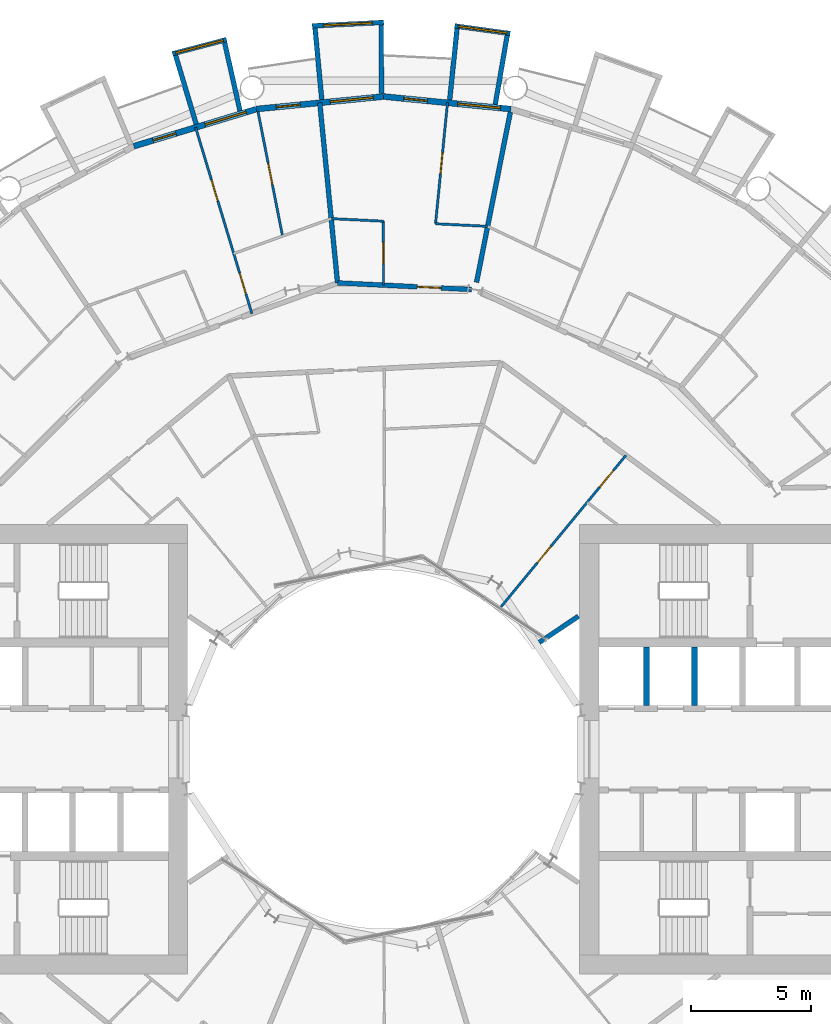
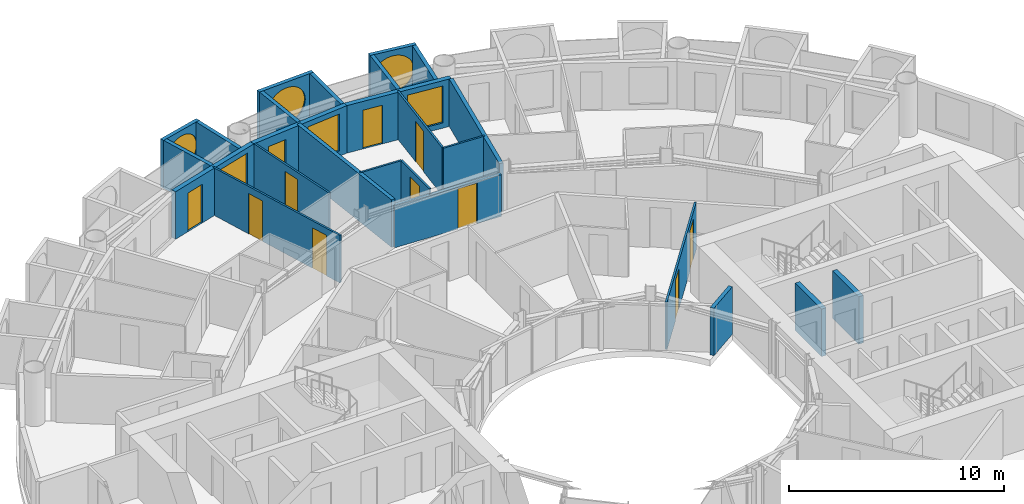
# One storey, part 20 of 25: 25 walls, 11 doors, 6 windows, 17 openings.
"""IFC4 building model written with IfcOpenShell, lengths in metres."""

from ifc_helpers import new_model, si_unit, direction, frame, frame_2d, origin, place, context, subcontext, project, spatial, rectangle, circle, extrude, material, layer, layer_set, type_object, element, fill, save


model = new_model("IFC4")

# Units and contexts
model_context = context("Model", 3, precision=1e-05, world=origin(), true_north=direction((0.0, 1.0)))
body_context = subcontext(model_context, "Body", "Model", "MODEL_VIEW")
ifc_project = project(units=[si_unit("LENGTHUNIT", "METRE"), si_unit("AREAUNIT", "SQUARE_METRE"), si_unit("VOLUMEUNIT", "CUBIC_METRE"), si_unit("PLANEANGLEUNIT", "RADIAN"), si_unit("MASSUNIT", "GRAM", prefix="KILO")], contexts=[model_context])

# Site, building, storey
site_placement = place(None, origin())
site = spatial("IfcSite", under=ifc_project, at=site_placement, CompositionType="ELEMENT")
building_placement = place(site_placement, origin())
building = spatial("IfcBuilding", under=site, at=building_placement, Name="Maasbend Ring Residences", CompositionType="ELEMENT")
storey_placement = place(building_placement, frame((0.0, 0.0, 41.10009765625)))
storey = spatial("IfcBuildingStorey", under=building, at=storey_placement, Name="L11", CompositionType="ELEMENT", Elevation=41.10009765625)

# Wall, opening, door
ifc_material_1 = material(Name="Concrete C30/37", Category="concrete")
ifc_layer_1 = layer(ifc_material_1, 0.199951171875)
ifc_layer_set_1 = layer_set([ifc_layer_1], Name="Concrete C30/37")
wall_type_1 = type_object("IfcWallType", Name="CORRIDOR WALL 200 CONCRETE", PredefinedType="PARTITIONING", material=ifc_layer_set_1)
wall_1_placement = place(storey_placement, frame((-1.9208984375, 19.506103515625, 0.0), z_axis=(0.0, 0.0, 1.0), x_axis=(0.99879118777, -0.049154483346, 0.0)))
wall_1 = element("IfcWall", 1, at=wall_1_placement, inside=storey, type_object=wall_type_1, Name="U-L11-w109", PredefinedType="PARTITIONING", context=body_context, shape_type="SweptSolid", body=[
    extrude(rectangle(XDim=5.59765625, YDim=0.199951171875, at=frame_2d((2.798828125, 0.0))), origin(), (0.0, 0.0, 1.0), 2.3798828125),
])
opening_1_placement = place(wall_1_placement, frame((3.333984375, 0.0, 0.0)))
opening_1 = element("IfcOpeningElement", 2, at=opening_1_placement, cuts=wall_1, Name="Opening D-1110", PredefinedType="OPENING", context=body_context, shape_type="SweptSolid", body=[
    extrude(rectangle(XDim=1.0, YDim=2.300048828125, at=frame_2d((0.5, 1.14990234375))), frame((0.0, 0.10986328125, 0.0), z_axis=(0.0, -1.0, 0.0), x_axis=(1.0, 0.0, 0.0)), (0.0, 0.0, 1.0), 0.219970703125),
])
ifc_material_2 = material(Name="Timber, fire-rated, painted", Category="wood")
door_type_1 = type_object("IfcDoorType", Name="FLAT ENTRANCE DOOR 1000 X 2300 FIRE-RATED", OperationType="NOTDEFINED", PredefinedType="DOOR", material=ifc_material_2)
door_1_placement = place(opening_1_placement, origin())
door_1 = element("IfcDoor", 3, at=door_1_placement, inside=storey, type_object=door_type_1, Name="D-1110", OperationType="SINGLE_SWING_RIGHT", OverallHeight=2.300048828125, OverallWidth=1.0, PredefinedType="DOOR", context=body_context, shape_type="SweptSolid", body=[
    extrude(rectangle(XDim=1.0, YDim=2.300048828125, at=frame_2d((0.5, 1.14990234375))), frame((0.0, 0.02490234375, 0.0), z_axis=(0.0, -1.0, 0.0), x_axis=(1.0, 0.0, 0.0)), (0.0, 0.0, 1.0), 0.050048828125),
])
fill(opening_1, door_1)

# Wall, opening, window
ifc_material_3 = material(Name="Pale anodised aluminium panel", Category="aluminium")
ifc_layer_2 = layer(ifc_material_3, 0.199951171875)
ifc_layer_set_2 = layer_set([ifc_layer_2], Name="EW-BOX")
wall_type_2 = type_object("IfcWallType", Name="EW-BOX", PredefinedType="SOLIDWALL", material=ifc_layer_set_2)
wall_2_placement = place(storey_placement, frame((5.2900390625, 29.93603515625, -0.030029296875), z_axis=(0.0, 0.0, 1.0), x_axis=(-0.990696111261, 0.136092671119, 0.0)))
wall_2 = element("IfcWall", 4, at=wall_2_placement, inside=storey, type_object=wall_type_2, Name="Box front N09", PredefinedType="SOLIDWALL", context=body_context, shape_type="SweptSolid", body=[
    extrude(rectangle(XDim=2.335693359375, YDim=0.199951171875, at=frame_2d((1.16796875, 0.0))), origin(), (0.0, 0.0, 1.0), 2.72998046875),
])
opening_2_placement = place(wall_2_placement, frame((0.128173828125, 0.0, 0.330078125)))
opening_2 = element("IfcOpeningElement", 5, at=opening_2_placement, cuts=wall_2, Name="Opening W-RD", PredefinedType="OPENING", context=body_context, shape_type="SweptSolid", body=[
    extrude(circle(Radius=1.0400390625, at=frame_2d((1.0400390625, 1.0400390625))), frame((0.0, 0.10986328125, 0.0), z_axis=(0.0, -1.0, 0.0), x_axis=(1.0, 0.0, 0.0)), (0.0, 0.0, 1.0), 0.219970703125),
])
ifc_material_4 = material(Name="Aluminium and clear glass", Category="aluminium")
window_type_1 = type_object("IfcWindowType", Name="W-RD", PartitioningType="SINGLE_PANEL", PredefinedType="WINDOW", material=ifc_material_4)
window_1_placement = place(opening_2_placement, origin())
window_1 = element("IfcWindow", 6, at=window_1_placement, inside=storey, type_object=window_type_1, Name="Round window N09", OverallHeight=2.080078125, OverallWidth=2.080078125, PartitioningType="SINGLE_PANEL", PredefinedType="WINDOW", context=body_context, shape_type="SweptSolid", body=[
    extrude(circle(Radius=1.0400390625, at=frame_2d((1.0400390625, 1.0400390625))), frame((0.0, 0.030029296875, 0.0), z_axis=(0.0, -1.0, 0.0), x_axis=(1.0, 0.0, 0.0)), (0.0, 0.0, 1.0), 0.06005859375),
])
fill(opening_2, window_1)

# Walls
wall_3_placement = place(storey_placement, frame((4.6708984375, 26.966064453125, -0.030029296875), z_axis=(0.0, 0.0, 1.0), x_axis=(0.170539878907, 0.985350774954, 0.0)))
element("IfcWall", 7, at=wall_3_placement, inside=storey, type_object=wall_type_2, Name="Box side wall N09 left", PredefinedType="SOLIDWALL", context=body_context, shape_type="SweptSolid", body=[
    extrude(rectangle(XDim=2.931884765625, YDim=0.199951171875, at=frame_2d((1.4658203125, 0.0))), origin(), (0.0, 0.0, 1.0), 2.72998046875),
])
wall_4_placement = place(storey_placement, frame((2.763916015625, 27.153076171875, -0.030029296875), z_axis=(0.0, 0.0, 1.0), x_axis=(0.101505487237, 0.994834979311, 0.0)))
element("IfcWall", 8, at=wall_4_placement, inside=storey, type_object=wall_type_2, Name="Box side wall N09 right", PredefinedType="SOLIDWALL", context=body_context, shape_type="SweptSolid", body=[
    extrude(rectangle(XDim=3.006591796875, YDim=0.199951171875, at=frame_2d((1.50341796875, 0.0))), origin(), (0.0, 0.0, 1.0), 2.72998046875),
])

# Wall, opening, window
wall_5_placement = place(storey_placement, frame((0.0048828125, 30.39990234375, -0.030029296875), z_axis=(0.0, 0.0, 1.0), x_axis=(-0.998794083011, -0.049095618353, 0.0)))
wall_5 = element("IfcWall", 9, at=wall_5_placement, inside=storey, type_object=wall_type_2, Name="Box front N11", PredefinedType="SOLIDWALL", context=body_context, shape_type="SweptSolid", body=[
    extrude(rectangle(XDim=2.99365234375, YDim=0.199951171875, at=frame_2d((1.496826171875, 0.0))), origin(), (0.0, 0.0, 1.0), 2.72998046875),
])
opening_3_placement = place(wall_5_placement, frame((0.45654296875, 0.0, 0.330078125)))
opening_3 = element("IfcOpeningElement", 10, at=opening_3_placement, cuts=wall_5, Name="Opening W-RD", PredefinedType="OPENING", context=body_context, shape_type="SweptSolid", body=[
    extrude(circle(Radius=1.0400390625, at=frame_2d((1.0400390625, 1.0400390625))), frame((0.0, 0.10986328125, 0.0), z_axis=(0.0, -1.0, 0.0), x_axis=(1.0, 0.0, 0.0)), (0.0, 0.0, 1.0), 0.219970703125),
])
window_2_placement = place(opening_3_placement, origin())
window_2 = element("IfcWindow", 11, at=window_2_placement, inside=storey, type_object=window_type_1, Name="Round window N11", OverallHeight=2.080078125, OverallWidth=2.080078125, PartitioningType="SINGLE_PANEL", PredefinedType="WINDOW", context=body_context, shape_type="SweptSolid", body=[
    extrude(circle(Radius=1.0400390625, at=frame_2d((1.0400390625, 1.0400390625))), frame((0.0, 0.030029296875, 0.0), z_axis=(0.0, -1.0, 0.0), x_axis=(1.0, 0.0, 0.0)), (0.0, 0.0, 1.0), 0.06005859375),
])
fill(opening_3, window_2)

# Walls
wall_6_placement = place(storey_placement, frame((-0.090087890625, 27.4169921875, -0.030029296875), z_axis=(0.0, 0.0, 1.0), x_axis=(-0.00347308367, 0.999993968827, 0.0)))
element("IfcWall", 12, at=wall_6_placement, inside=storey, type_object=wall_type_2, Name="Box side wall N11 left", PredefinedType="SOLIDWALL", context=body_context, shape_type="SweptSolid", body=[
    extrude(rectangle(XDim=2.882080078125, YDim=0.199951171875, at=frame_2d((1.44091796875, 0.0))), origin(), (0.0, 0.0, 1.0), 2.72998046875),
])
wall_7_placement = place(storey_placement, frame((-2.5859375, 27.1708984375, -0.030029296875), z_axis=(0.0, 0.0, 1.0), x_axis=(-0.094548432284, 0.995520262954, 0.0)))
element("IfcWall", 13, at=wall_7_placement, inside=storey, type_object=wall_type_2, Name="Box side wall N11 right", PredefinedType="SOLIDWALL", context=body_context, shape_type="SweptSolid", body=[
    extrude(rectangle(XDim=3.005615234375, YDim=0.199951171875, at=frame_2d((1.5029296875, 0.0))), origin(), (0.0, 0.0, 1.0), 2.72998046875),
])

# Wall, opening, window
wall_8_placement = place(storey_placement, frame((-6.568115234375, 29.681884765625, -0.030029296875), z_axis=(0.0, 0.0, 1.0), x_axis=(-0.967377102346, -0.253340762326, 0.0)))
wall_8 = element("IfcWall", 14, at=wall_8_placement, inside=storey, type_object=wall_type_2, Name="Box front N13", PredefinedType="SOLIDWALL", context=body_context, shape_type="SweptSolid", body=[
    extrude(rectangle(XDim=2.3359375, YDim=0.199951171875, at=frame_2d((1.16796875, 0.0))), origin(), (0.0, 0.0, 1.0), 2.72998046875),
])
opening_4_placement = place(wall_8_placement, frame((0.128173828125, 0.0, 0.330078125)))
opening_4 = element("IfcOpeningElement", 15, at=opening_4_placement, cuts=wall_8, Name="Opening W-RD", PredefinedType="OPENING", context=body_context, shape_type="SweptSolid", body=[
    extrude(circle(Radius=1.0400390625, at=frame_2d((1.0400390625, 1.0400390625))), frame((0.0, 0.10986328125, 0.0), z_axis=(0.0, -1.0, 0.0), x_axis=(1.0, 0.0, 0.0)), (0.0, 0.0, 1.0), 0.219970703125),
])
window_3_placement = place(opening_4_placement, origin())
window_3 = element("IfcWindow", 16, at=window_3_placement, inside=storey, type_object=window_type_1, Name="Round window N13", OverallHeight=2.080078125, OverallWidth=2.080078125, PartitioningType="SINGLE_PANEL", PredefinedType="WINDOW", context=body_context, shape_type="SweptSolid", body=[
    extrude(circle(Radius=1.0400390625, at=frame_2d((1.0400390625, 1.0400390625))), frame((0.0, 0.030029296875, 0.0), z_axis=(0.0, -1.0, 0.0), x_axis=(1.0, 0.0, 0.0)), (0.0, 0.0, 1.0), 0.06005859375),
])
fill(opening_4, window_3)

# Walls
wall_9_placement = place(storey_placement, frame((-6.00390625, 26.699951171875, -0.030029296875), z_axis=(0.0, 0.0, 1.0), x_axis=(-0.219609259383, 0.975587911566, 0.0)))
element("IfcWall", 17, at=wall_9_placement, inside=storey, type_object=wall_type_2, Name="Box side wall N13 left", PredefinedType="SOLIDWALL", context=body_context, shape_type="SweptSolid", body=[
    extrude(rectangle(XDim=2.9326171875, YDim=0.199951171875, at=frame_2d((1.46630859375, 0.0))), origin(), (0.0, 0.0, 1.0), 2.72998046875),
])
wall_10_placement = place(storey_placement, frame((-7.8369140625, 26.14404296875, -0.030029296875), z_axis=(0.0, 0.0, 1.0), x_axis=(-0.287064767992, 0.957911174889, 0.0)))
element("IfcWall", 18, at=wall_10_placement, inside=storey, type_object=wall_type_2, Name="Box side wall N13 right", PredefinedType="SOLIDWALL", context=body_context, shape_type="SweptSolid", body=[
    extrude(rectangle(XDim=3.00634765625, YDim=0.199951171875, at=frame_2d((1.503173828125, 0.0))), origin(), (0.0, 0.0, 1.0), 2.72998046875),
])

# Wall, openings, door, window
ifc_material_5 = material(Name="Aluminium clad insulated panel", Category="aluminium")
ifc_layer_3 = layer(ifc_material_5, 0.25)
ifc_layer_set_3 = layer_set([ifc_layer_3], Name="EW-GL")
wall_type_3 = type_object("IfcWallType", Name="EW-GL", PredefinedType="SOLIDWALL", material=ifc_layer_set_3)
wall_11_placement = place(storey_placement, frame((5.325927734375, 26.77490234375, 0.0), z_axis=(0.0, 0.0, 1.0), x_axis=(-0.995173996315, 0.098126026407, 0.0)))
wall_11 = element("IfcWall", 19, at=wall_11_placement, inside=storey, type_object=wall_type_3, Name="External wall N05", PredefinedType="SOLIDWALL", context=body_context, shape_type="SweptSolid", body=[
    extrude(rectangle(XDim=5.351806640625, YDim=0.25, at=frame_2d((2.67578125, 0.0))), origin(), (0.0, 0.0, 1.0), 2.699951171875),
])
opening_5_placement = place(wall_11_placement, frame((0.441162109375, 0.0, 0.300048828125)))
opening_5 = element("IfcOpeningElement", 20, at=opening_5_placement, cuts=wall_11, Name="Opening W-BX", PredefinedType="OPENING", context=body_context, shape_type="SweptSolid", body=[
    extrude(rectangle(XDim=1.800048828125, YDim=2.10009765625, at=frame_2d((0.89990234375, 1.050048828125))), frame((0.0, 0.135009765625, 0.0), z_axis=(0.0, -1.0, 0.0), x_axis=(1.0, 0.0, 0.0)), (0.0, 0.0, 1.0), 0.27001953125),
])
opening_6_placement = place(wall_11_placement, frame((3.510498046875, 0.0, 0.0)))
opening_6 = element("IfcOpeningElement", 21, at=opening_6_placement, cuts=wall_11, Name="Opening D-LG", PredefinedType="OPENING", context=body_context, shape_type="SweptSolid", body=[
    extrude(rectangle(XDim=1.0, YDim=2.199951171875, at=frame_2d((0.5, 1.10009765625))), frame((0.0, 0.135009765625, 0.0), z_axis=(0.0, -1.0, 0.0), x_axis=(1.0, 0.0, 0.0)), (0.0, 0.0, 1.0), 0.27001953125),
])
ifc_material_6 = material(Name="Aluminium and clear glass", Category="aluminium")
door_type_2 = type_object("IfcDoorType", Name="D-LG", OperationType="SINGLE_SWING_LEFT", PredefinedType="DOOR", material=ifc_material_6)
door_2_placement = place(opening_6_placement, origin())
door_2 = element("IfcDoor", 22, at=door_2_placement, inside=storey, type_object=door_type_2, Name="Loggia door N10", OperationType="SINGLE_SWING_LEFT", OverallHeight=2.199951171875, OverallWidth=1.0, PredefinedType="DOOR", context=body_context, shape_type="SweptSolid", body=[
    extrude(rectangle(XDim=1.0, YDim=2.199951171875, at=frame_2d((0.5, 1.10009765625))), frame((0.0, 0.02490234375, 0.0), z_axis=(0.0, -1.0, 0.0), x_axis=(1.0, 0.0, 0.0)), (0.0, 0.0, 1.0), 0.050048828125),
])
fill(opening_6, door_2)
ifc_material_7 = material(Name="Aluminium and clear glass", Category="aluminium")
window_type_2 = type_object("IfcWindowType", Name="W-BX", PartitioningType="DOUBLE_PANEL_VERTICAL", PredefinedType="WINDOW", material=ifc_material_7)
window_4_placement = place(opening_5_placement, origin())
window_4 = element("IfcWindow", 23, at=window_4_placement, inside=storey, type_object=window_type_2, Name="Window N09 room to box", OverallHeight=2.10009765625, OverallWidth=1.800048828125, PartitioningType="SINGLE_PANEL", PredefinedType="WINDOW", context=body_context, shape_type="SweptSolid", body=[
    extrude(rectangle(XDim=1.800048828125, YDim=2.10009765625, at=frame_2d((0.89990234375, 1.050048828125))), frame((0.0, 0.030029296875, 0.0), z_axis=(0.0, -1.0, 0.0), x_axis=(1.0, 0.0, 0.0)), (0.0, 0.0, 1.0), 0.06005859375),
])
fill(opening_5, window_4)

wall_12_placement = place(storey_placement, frame((0.0, 27.300048828125, 0.0), z_axis=(0.0, 0.0, 1.0), x_axis=(-0.995173996315, -0.098126026407, 0.0)))
wall_12 = element("IfcWall", 24, at=wall_12_placement, inside=storey, type_object=wall_type_3, Name="External wall N06", PredefinedType="SOLIDWALL", context=body_context, shape_type="SweptSolid", body=[
    extrude(rectangle(XDim=5.351806640625, YDim=0.25, at=frame_2d((2.67578125, 0.0))), origin(), (0.0, 0.0, 1.0), 2.699951171875),
])
opening_7_placement = place(wall_12_placement, frame((0.441162109375, 0.0, 0.300048828125)))
opening_7 = element("IfcOpeningElement", 25, at=opening_7_placement, cuts=wall_12, Name="Opening W-BX", PredefinedType="OPENING", context=body_context, shape_type="SweptSolid", body=[
    extrude(rectangle(XDim=1.800048828125, YDim=2.10009765625, at=frame_2d((0.89990234375, 1.050048828125))), frame((0.0, 0.135009765625, 0.0), z_axis=(0.0, -1.0, 0.0), x_axis=(1.0, 0.0, 0.0)), (0.0, 0.0, 1.0), 0.27001953125),
])
opening_8_placement = place(wall_12_placement, frame((3.510498046875, 0.0, 0.0)))
opening_8 = element("IfcOpeningElement", 26, at=opening_8_placement, cuts=wall_12, Name="Opening D-LG", PredefinedType="OPENING", context=body_context, shape_type="SweptSolid", body=[
    extrude(rectangle(XDim=1.0, YDim=2.199951171875, at=frame_2d((0.5, 1.10009765625))), frame((0.0, 0.135009765625, 0.0), z_axis=(0.0, -1.0, 0.0), x_axis=(1.0, 0.0, 0.0)), (0.0, 0.0, 1.0), 0.27001953125),
])
door_3_placement = place(opening_8_placement, origin())
door_3 = element("IfcDoor", 27, at=door_3_placement, inside=storey, type_object=door_type_2, Name="Loggia door N12", OperationType="SINGLE_SWING_LEFT", OverallHeight=2.199951171875, OverallWidth=1.0, PredefinedType="DOOR", context=body_context, shape_type="SweptSolid", body=[
    extrude(rectangle(XDim=1.0, YDim=2.199951171875, at=frame_2d((0.5, 1.10009765625))), frame((0.0, 0.02490234375, 0.0), z_axis=(0.0, -1.0, 0.0), x_axis=(1.0, 0.0, 0.0)), (0.0, 0.0, 1.0), 0.050048828125),
])
fill(opening_8, door_3)
window_5_placement = place(opening_7_placement, origin())
window_5 = element("IfcWindow", 28, at=window_5_placement, inside=storey, type_object=window_type_2, Name="Window N11 room to box", OverallHeight=2.10009765625, OverallWidth=1.800048828125, PartitioningType="SINGLE_PANEL", PredefinedType="WINDOW", context=body_context, shape_type="SweptSolid", body=[
    extrude(rectangle(XDim=1.800048828125, YDim=2.10009765625, at=frame_2d((0.89990234375, 1.050048828125))), frame((0.0, 0.030029296875, 0.0), z_axis=(0.0, -1.0, 0.0), x_axis=(1.0, 0.0, 0.0)), (0.0, 0.0, 1.0), 0.06005859375),
])
fill(opening_7, window_5)

wall_13_placement = place(storey_placement, frame((-5.325927734375, 26.77490234375, 0.0), z_axis=(0.0, 0.0, 1.0), x_axis=(-0.956965678721, -0.290201119486, 0.0)))
wall_13 = element("IfcWall", 29, at=wall_13_placement, inside=storey, type_object=wall_type_3, Name="External wall N07", PredefinedType="SOLIDWALL", context=body_context, shape_type="SweptSolid", body=[
    extrude(rectangle(XDim=5.351318359375, YDim=0.25, at=frame_2d((2.67578125, 0.0))), origin(), (0.0, 0.0, 1.0), 2.699951171875),
])
opening_9_placement = place(wall_13_placement, frame((0.441162109375, 0.0, 0.300048828125)))
opening_9 = element("IfcOpeningElement", 30, at=opening_9_placement, cuts=wall_13, Name="Opening W-BX", PredefinedType="OPENING", context=body_context, shape_type="SweptSolid", body=[
    extrude(rectangle(XDim=1.800048828125, YDim=2.10009765625, at=frame_2d((0.89990234375, 1.050048828125))), frame((0.0, 0.135009765625, 0.0), z_axis=(0.0, -1.0, 0.0), x_axis=(1.0, 0.0, 0.0)), (0.0, 0.0, 1.0), 0.27001953125),
])
opening_10_placement = place(wall_13_placement, frame((3.510498046875, 0.0, 0.0)))
opening_10 = element("IfcOpeningElement", 31, at=opening_10_placement, cuts=wall_13, Name="Opening D-LG", PredefinedType="OPENING", context=body_context, shape_type="SweptSolid", body=[
    extrude(rectangle(XDim=1.0, YDim=2.199951171875, at=frame_2d((0.5, 1.10009765625))), frame((0.0, 0.135009765625, 0.0), z_axis=(0.0, -1.0, 0.0), x_axis=(1.0, 0.0, 0.0)), (0.0, 0.0, 1.0), 0.27001953125),
])
door_4_placement = place(opening_10_placement, origin())
door_4 = element("IfcDoor", 32, at=door_4_placement, inside=storey, type_object=door_type_2, Name="Loggia door N14", OperationType="SINGLE_SWING_LEFT", OverallHeight=2.199951171875, OverallWidth=1.0, PredefinedType="DOOR", context=body_context, shape_type="SweptSolid", body=[
    extrude(rectangle(XDim=1.0, YDim=2.199951171875, at=frame_2d((0.5, 1.10009765625))), frame((0.0, 0.02490234375, 0.0), z_axis=(0.0, -1.0, 0.0), x_axis=(1.0, 0.0, 0.0)), (0.0, 0.0, 1.0), 0.050048828125),
])
fill(opening_10, door_4)
window_6_placement = place(opening_9_placement, origin())
window_6 = element("IfcWindow", 33, at=window_6_placement, inside=storey, type_object=window_type_2, Name="Window N13 room to box", OverallHeight=2.10009765625, OverallWidth=1.800048828125, PartitioningType="SINGLE_PANEL", PredefinedType="WINDOW", context=body_context, shape_type="SweptSolid", body=[
    extrude(rectangle(XDim=1.800048828125, YDim=2.10009765625, at=frame_2d((0.89990234375, 1.050048828125))), frame((0.0, 0.030029296875, 0.0), z_axis=(0.0, -1.0, 0.0), x_axis=(1.0, 0.0, 0.0)), (0.0, 0.0, 1.0), 0.06005859375),
])
fill(opening_9, window_6)

# Wall, openings, doors
ifc_material_8 = material(Name="Gypsum board on steel studs", Category="steel")
ifc_layer_4 = layer(ifc_material_8, 0.10009765625)
ifc_layer_set_4 = layer_set([ifc_layer_4], Name="PARTITION 100 GYPSUM")
wall_type_4 = type_object("IfcWallType", Name="PARTITION 100 GYPSUM", PredefinedType="PARTITIONING", material=ifc_layer_set_4)
wall_14_placement = place(storey_placement, frame((-7.863037109375, 26.011962890625, 0.0), z_axis=(0.0, 0.0, 1.0), x_axis=(0.289372881225, -0.957216451808, 0.0)))
wall_14 = element("IfcWall", 34, at=wall_14_placement, inside=storey, type_object=wall_type_4, Name="U-L11-w052", PredefinedType="PARTITIONING", context=body_context, shape_type="SweptSolid", body=[
    extrude(rectangle(XDim=8.13818359375, YDim=0.10009765625, at=frame_2d((4.069091796875, 0.0))), origin(), (0.0, 0.0, 1.0), 2.699951171875),
])
opening_11_placement = place(wall_14_placement, frame((6.376953125, 0.0, 0.0)))
opening_11 = element("IfcOpeningElement", 35, at=opening_11_placement, cuts=wall_14, Name="Opening D-1116", PredefinedType="OPENING", context=body_context, shape_type="SweptSolid", body=[
    extrude(rectangle(XDim=0.89990234375, YDim=2.300048828125, at=frame_2d((0.449951171875, 1.14990234375))), frame((0.0, 0.06005859375, 0.0), z_axis=(0.0, -1.0, 0.0), x_axis=(1.0, 0.0, 0.0)), (0.0, 0.0, 1.0), 0.1201171875),
])
opening_12_placement = place(wall_14_placement, frame((2.30810546875, 0.0, 0.0)))
opening_12 = element("IfcOpeningElement", 36, at=opening_12_placement, cuts=wall_14, Name="Opening D-1117", PredefinedType="OPENING", context=body_context, shape_type="SweptSolid", body=[
    extrude(rectangle(XDim=0.89990234375, YDim=2.300048828125, at=frame_2d((0.449951171875, 1.14990234375))), frame((0.0, 0.06005859375, 0.0), z_axis=(0.0, -1.0, 0.0), x_axis=(1.0, 0.0, 0.0)), (0.0, 0.0, 1.0), 0.1201171875),
])
ifc_material_9 = material(Name="Timber, painted", Category="wood")
door_type_3 = type_object("IfcDoorType", Name="INTERNAL DOOR 900 X 2300", OperationType="NOTDEFINED", PredefinedType="DOOR", material=ifc_material_9)
door_5_placement = place(opening_11_placement, origin())
door_5 = element("IfcDoor", 37, at=door_5_placement, inside=storey, type_object=door_type_3, Name="D-1116", OperationType="SINGLE_SWING_RIGHT", OverallHeight=2.300048828125, OverallWidth=0.89990234375, PredefinedType="DOOR", context=body_context, shape_type="SweptSolid", body=[
    extrude(rectangle(XDim=0.89990234375, YDim=2.300048828125, at=frame_2d((0.449951171875, 1.14990234375))), frame((0.0, 0.02490234375, 0.0), z_axis=(0.0, -1.0, 0.0), x_axis=(1.0, 0.0, 0.0)), (0.0, 0.0, 1.0), 0.050048828125),
])
fill(opening_11, door_5)
door_6_placement = place(opening_12_placement, origin())
door_6 = element("IfcDoor", 38, at=door_6_placement, inside=storey, type_object=door_type_3, Name="D-1117", OperationType="SINGLE_SWING_LEFT", OverallHeight=2.300048828125, OverallWidth=0.89990234375, PredefinedType="DOOR", context=body_context, shape_type="SweptSolid", body=[
    extrude(rectangle(XDim=0.89990234375, YDim=2.300048828125, at=frame_2d((0.449951171875, 1.14990234375))), frame((0.0, 0.02490234375, 0.0), z_axis=(0.0, -1.0, 0.0), x_axis=(1.0, 0.0, 0.0)), (0.0, 0.0, 1.0), 0.050048828125),
])
fill(opening_12, door_6)

# Wall, opening, door
wall_15_placement = place(storey_placement, frame((-5.2509765625, 26.6630859375, 0.0), z_axis=(0.0, 0.0, 1.0), x_axis=(0.193334397611, -0.981132922035, 0.0)))
wall_15 = element("IfcWall", 39, at=wall_15_placement, inside=storey, type_object=wall_type_4, Name="U-L11-w057", PredefinedType="PARTITIONING", context=body_context, shape_type="SweptSolid", body=[
    extrude(rectangle(XDim=5.30126953125, YDim=0.10009765625, at=frame_2d((2.650634765625, 0.0))), origin(), (0.0, 0.0, 1.0), 2.699951171875),
])
opening_13_placement = place(wall_15_placement, frame((2.200927734375, 0.0, 0.0)))
opening_13 = element("IfcOpeningElement", 40, at=opening_13_placement, cuts=wall_15, Name="Opening D-1118", PredefinedType="OPENING", context=body_context, shape_type="SweptSolid", body=[
    extrude(rectangle(XDim=0.89990234375, YDim=2.300048828125, at=frame_2d((0.449951171875, 1.14990234375))), frame((0.0, 0.06005859375, 0.0), z_axis=(0.0, -1.0, 0.0), x_axis=(1.0, 0.0, 0.0)), (0.0, 0.0, 1.0), 0.1201171875),
])
door_7_placement = place(opening_13_placement, origin())
door_7 = element("IfcDoor", 41, at=door_7_placement, inside=storey, type_object=door_type_3, Name="D-1118", OperationType="SINGLE_SWING_LEFT", OverallHeight=2.300048828125, OverallWidth=0.89990234375, PredefinedType="DOOR", context=body_context, shape_type="SweptSolid", body=[
    extrude(rectangle(XDim=0.89990234375, YDim=2.300048828125, at=frame_2d((0.449951171875, 1.14990234375))), frame((0.0, 0.02490234375, 0.0), z_axis=(0.0, -1.0, 0.0), x_axis=(1.0, 0.0, 0.0)), (0.0, 0.0, 1.0), 0.050048828125),
])
fill(opening_13, door_7)

wall_16_placement = place(storey_placement, frame((-0.006103515625, 19.412109375, 0.0), z_axis=(0.0, 0.0, 1.0), x_axis=(-0.000365230071, 0.999999933303, 0.0)))
wall_16 = element("IfcWall", 42, at=wall_16_placement, inside=storey, type_object=wall_type_4, Name="U-L11-w062", PredefinedType="PARTITIONING", context=body_context, shape_type="SweptSolid", body=[
    extrude(rectangle(XDim=2.673828125, YDim=0.10009765625, at=frame_2d((1.3369140625, 0.0))), origin(), (0.0, 0.0, 1.0), 2.699951171875),
])
opening_14_placement = place(wall_16_placement, frame((0.886962890625, 0.0, 0.0)))
opening_14 = element("IfcOpeningElement", 43, at=opening_14_placement, cuts=wall_16, Name="Opening D-1111", PredefinedType="OPENING", context=body_context, shape_type="SweptSolid", body=[
    extrude(rectangle(XDim=0.89990234375, YDim=2.300048828125, at=frame_2d((0.449951171875, 1.14990234375))), frame((0.0, 0.06005859375, 0.0), z_axis=(0.0, -1.0, 0.0), x_axis=(1.0, 0.0, 0.0)), (0.0, 0.0, 1.0), 0.1201171875),
])
door_8_placement = place(opening_14_placement, origin())
door_8 = element("IfcDoor", 44, at=door_8_placement, inside=storey, type_object=door_type_3, Name="D-1111", OperationType="SINGLE_SWING_LEFT", OverallHeight=2.300048828125, OverallWidth=0.89990234375, PredefinedType="DOOR", context=body_context, shape_type="SweptSolid", body=[
    extrude(rectangle(XDim=0.89990234375, YDim=2.300048828125, at=frame_2d((0.449951171875, 1.14990234375))), frame((0.0, 0.02490234375, 0.0), z_axis=(0.0, -1.0, 0.0), x_axis=(1.0, 0.0, 0.0)), (0.0, 0.0, 1.0), 0.050048828125),
])
fill(opening_14, door_8)

wall_17_placement = place(storey_placement, frame((2.172119140625, 21.97900390625, 0.0), z_axis=(0.0, 0.0, 1.0), x_axis=(0.098259061871, 0.99516086979, 0.0)))
wall_17 = element("IfcWall", 45, at=wall_17_placement, inside=storey, type_object=wall_type_4, Name="U-L11-w067", PredefinedType="PARTITIONING", context=body_context, shape_type="SweptSolid", body=[
    extrude(rectangle(XDim=5.088623046875, YDim=0.10009765625, at=frame_2d((2.54443359375, 0.0))), origin(), (0.0, 0.0, 1.0), 2.699951171875),
])
opening_15_placement = place(wall_17_placement, frame((2.093994140625, 0.0, 0.0)))
opening_15 = element("IfcOpeningElement", 46, at=opening_15_placement, cuts=wall_17, Name="Opening D-1112", PredefinedType="OPENING", context=body_context, shape_type="SweptSolid", body=[
    extrude(rectangle(XDim=0.89990234375, YDim=2.300048828125, at=frame_2d((0.449951171875, 1.14990234375))), frame((0.0, 0.06005859375, 0.0), z_axis=(0.0, -1.0, 0.0), x_axis=(1.0, 0.0, 0.0)), (0.0, 0.0, 1.0), 0.1201171875),
])
door_9_placement = place(opening_15_placement, origin())
door_9 = element("IfcDoor", 47, at=door_9_placement, inside=storey, type_object=door_type_3, Name="D-1112", OperationType="SINGLE_SWING_LEFT", OverallHeight=2.300048828125, OverallWidth=0.89990234375, PredefinedType="DOOR", context=body_context, shape_type="SweptSolid", body=[
    extrude(rectangle(XDim=0.89990234375, YDim=2.300048828125, at=frame_2d((0.449951171875, 1.14990234375))), frame((0.0, 0.02490234375, 0.0), z_axis=(0.0, -1.0, 0.0), x_axis=(1.0, 0.0, 0.0)), (0.0, 0.0, 1.0), 0.050048828125),
])
fill(opening_15, door_9)

# Wall, openings, doors
wall_18_placement = place(storey_placement, frame((4.908935546875, 5.9580078125, 0.0), z_axis=(0.0, 0.0, 1.0), x_axis=(0.635976043025, 0.771708800454, 0.0)))
wall_18 = element("IfcWall", 48, at=wall_18_placement, inside=storey, type_object=wall_type_4, Name="U-L11-w073", PredefinedType="PARTITIONING", context=body_context, shape_type="SweptSolid", body=[
    extrude(rectangle(XDim=8.212890625, YDim=0.10009765625, at=frame_2d((4.1064453125, 0.0))), origin(), (0.0, 0.0, 1.0), 2.699951171875),
])
opening_16_placement = place(wall_18_placement, frame((6.489990234375, 0.0, 0.0)))
opening_16 = element("IfcOpeningElement", 49, at=opening_16_placement, cuts=wall_18, Name="Opening D-1125", PredefinedType="OPENING", context=body_context, shape_type="SweptSolid", body=[
    extrude(rectangle(XDim=0.89990234375, YDim=2.300048828125, at=frame_2d((0.449951171875, 1.14990234375))), frame((0.0, 0.06005859375, 0.0), z_axis=(0.0, -1.0, 0.0), x_axis=(1.0, 0.0, 0.0)), (0.0, 0.0, 1.0), 0.1201171875),
])
opening_17_placement = place(wall_18_placement, frame((2.384033203125, 0.0, 0.0)))
opening_17 = element("IfcOpeningElement", 50, at=opening_17_placement, cuts=wall_18, Name="Opening D-1126", PredefinedType="OPENING", context=body_context, shape_type="SweptSolid", body=[
    extrude(rectangle(XDim=0.89990234375, YDim=2.300048828125, at=frame_2d((0.449951171875, 1.14990234375))), frame((0.0, 0.06005859375, 0.0), z_axis=(0.0, -1.0, 0.0), x_axis=(1.0, 0.0, 0.0)), (0.0, 0.0, 1.0), 0.1201171875),
])
door_10_placement = place(opening_16_placement, origin())
door_10 = element("IfcDoor", 51, at=door_10_placement, inside=storey, type_object=door_type_3, Name="D-1125", OperationType="SINGLE_SWING_RIGHT", OverallHeight=2.300048828125, OverallWidth=0.89990234375, PredefinedType="DOOR", context=body_context, shape_type="SweptSolid", body=[
    extrude(rectangle(XDim=0.89990234375, YDim=2.300048828125, at=frame_2d((0.449951171875, 1.14990234375))), frame((0.0, 0.02490234375, 0.0), z_axis=(0.0, -1.0, 0.0), x_axis=(1.0, 0.0, 0.0)), (0.0, 0.0, 1.0), 0.050048828125),
])
fill(opening_16, door_10)
door_11_placement = place(opening_17_placement, origin())
door_11 = element("IfcDoor", 52, at=door_11_placement, inside=storey, type_object=door_type_3, Name="D-1126", OperationType="SINGLE_SWING_LEFT", OverallHeight=2.300048828125, OverallWidth=0.89990234375, PredefinedType="DOOR", context=body_context, shape_type="SweptSolid", body=[
    extrude(rectangle(XDim=0.89990234375, YDim=2.300048828125, at=frame_2d((0.449951171875, 1.14990234375))), frame((0.0, 0.02490234375, 0.0), z_axis=(0.0, -1.0, 0.0), x_axis=(1.0, 0.0, 0.0)), (0.0, 0.0, 1.0), 0.050048828125),
])
fill(opening_17, door_11)

# Walls
for number, where, z_axis, x_axis, name in (
    (53, (-2.18603515625, 22.193115234375, 0.0), (0.0, 0.0, 1.0), (0.998792477005, -0.049128279821, 0.0), "U-L11-w119"),
    (54, (2.172119140625, 21.97900390625, 0.0), (0.0, 0.0, 1.0), (0.998797962079, -0.049016639484, 0.0), "U-L11-w120"),
):
    element("IfcWall", number, at=place(storey_placement, frame(where, z_axis=z_axis, x_axis=x_axis)), inside=storey, type_object=wall_type_4, Name=name, PredefinedType="PARTITIONING", context=body_context, shape_type="SweptSolid", body=[
        extrude(rectangle(XDim=2.181640625, YDim=0.10009765625, at=frame_2d((1.0908203125, 0.0))), origin(), (0.0, 0.0, 1.0), 2.699951171875),
    ])
ifc_material_10 = material(Name="Concrete C30/37", Category="concrete")
ifc_layer_5 = layer(ifc_material_10, 0.199951171875)
ifc_layer_set_5 = layer_set([ifc_layer_5], Name="Concrete C30/37")
wall_type_5 = type_object("IfcWallType", Name="PARTY WALL 200 CONCRETE", PredefinedType="PARTITIONING", material=ifc_layer_set_5)
wall_19_placement = place(storey_placement, frame((-2.669921875, 27.04296875, 0.0), z_axis=(0.0, 0.0, 1.0), x_axis=(0.098208010272, -0.995165909142, 0.0)))
element("IfcWall", 55, at=wall_19_placement, inside=storey, type_object=wall_type_5, Name="U-L11-w060", PredefinedType="PARTITIONING", context=body_context, shape_type="SweptSolid", body=[
    extrude(rectangle(XDim=7.57470703125, YDim=0.199951171875, at=frame_2d((3.787353515625, 0.0))), origin(), (0.0, 0.0, 1.0), 2.699951171875),
])
wall_20_placement = place(storey_placement, frame((3.885009765625, 19.527099609375, 0.0), z_axis=(0.0, 0.0, 1.0), x_axis=(0.19503038749, 0.980797200218, 0.0)))
element("IfcWall", 56, at=wall_20_placement, inside=storey, type_object=wall_type_5, Name="U-L11-w071", PredefinedType="PARTITIONING", context=body_context, shape_type="SweptSolid", body=[
    extrude(rectangle(XDim=7.265380859375, YDim=0.199951171875, at=frame_2d((3.6328125, 0.0))), origin(), (0.0, 0.0, 1.0), 2.699951171875),
])
wall_21_placement = place(storey_placement, frame((6.512939453125, 4.471923828125, 0.0), z_axis=(0.0, 0.0, 1.0), x_axis=(0.831417956244, 0.555647533996, 0.0)))
element("IfcWall", 57, at=wall_21_placement, inside=storey, type_object=wall_type_5, Name="U-L11-w094", PredefinedType="PARTITIONING", context=body_context, shape_type="SweptSolid", body=[
    extrude(rectangle(XDim=1.9619140625, YDim=0.199951171875, at=frame_2d((0.98095703125, 0.0))), origin(), (0.0, 0.0, 1.0), 2.699951171875),
])
ifc_material_11 = material(Name="Concrete C30/37", Category="concrete")
ifc_layer_6 = layer(ifc_material_11, 0.25)
ifc_layer_set_6 = layer_set([ifc_layer_6], Name="Concrete C30/37")
wall_type_6 = type_object("IfcWallType", Name="SHAFT WALL 250 EI 120", PredefinedType="SOLIDWALL", material=ifc_layer_set_6)
for number, where, z_axis, x_axis, name in (
    (58, (11.0, 1.824951171875, 0.0), (0.0, 0.0, 1.0), (0.0, 1.0, 0.0), "L11 core E wall D110N"),
    (59, (13.0, 1.824951171875, 0.0), (0.0, 0.0, 1.0), (0.0, 1.0, 0.0), "L11 core E wall D130N"),
):
    element("IfcWall", number, at=place(storey_placement, frame(where, z_axis=z_axis, x_axis=x_axis)), inside=storey, type_object=wall_type_6, Name=name, PredefinedType="SOLIDWALL", context=body_context, shape_type="SweptSolid", body=[
        extrude(rectangle(XDim=2.449951171875, YDim=0.25, at=frame_2d((1.22509765625, 0.0))), origin(), (0.0, 0.0, 1.0), 2.699951171875),
    ])

save(model, "model.ifc")
